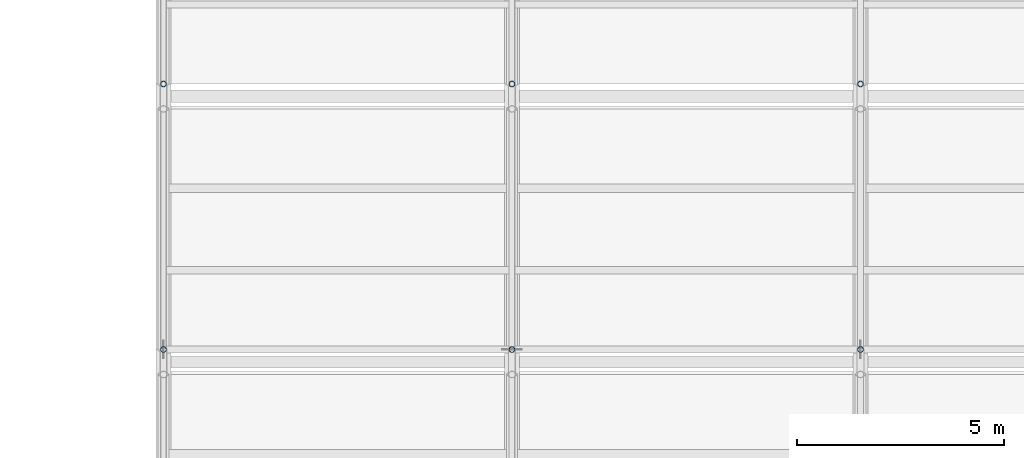
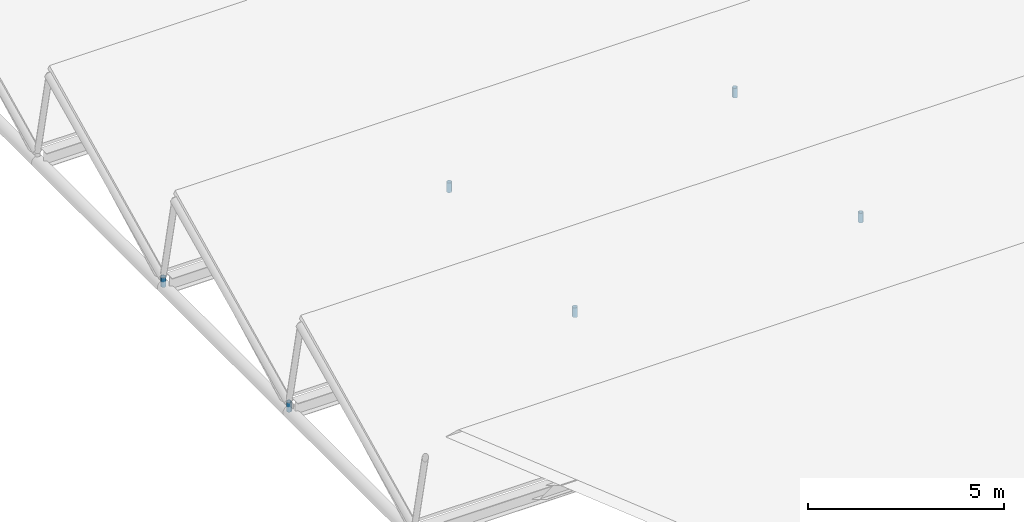
# One storey, part 118 of 194: 6 members.
"""IFC4 building model written with IfcOpenShell, lengths in metres."""

from ifc_helpers import new_model, si_unit, direction, frame, origin, origin_2d, place, context, subcontext, project, spatial, hollow_circle, extrude, material, material_profile, profile_set, type_object, element, save


model = new_model("IFC4")

# Units and contexts
model_context = context("Model", 3, precision=1e-05, world=origin(), true_north=direction((0.0, 1.0)))
body_context = subcontext(model_context, "Body", "Model", "MODEL_VIEW")
ifc_project = project(units=[si_unit("LENGTHUNIT", "METRE"), si_unit("AREAUNIT", "SQUARE_METRE"), si_unit("VOLUMEUNIT", "CUBIC_METRE"), si_unit("PLANEANGLEUNIT", "RADIAN"), si_unit("MASSUNIT", "GRAM", prefix="KILO")], contexts=[model_context])

# Site, building, storey
site_placement = place(None, origin())
site = spatial("IfcSite", under=ifc_project, at=site_placement, CompositionType="ELEMENT")
building_placement = place(site_placement, origin())
building = spatial("IfcBuilding", under=site, at=building_placement, Name="Kazenagashi Tramway Depot", CompositionType="ELEMENT")
storey_placement = place(building_placement, frame((0.0, 0.0, 23.7)))
storey = spatial("IfcBuildingStorey", under=building, at=storey_placement, Name="ROOF", CompositionType="ELEMENT", Elevation=23.7)

# Members
ifc_material = material(Name="Steel STK490", Category="steel")
ifc_material_profile = material_profile(ifc_material, hollow_circle(Radius=0.0699, WallThickness=0.0066, at=origin_2d()), Name="CHS-139.8x6.6")
ifc_profile_set = profile_set([ifc_material_profile], Name="Steel STK490")
member_type = type_object("IfcMemberType", Name="TS-02", PredefinedType="STRUT", material=ifc_profile_set)
for number, where, z_axis, x_axis, name in (
    (1, (44.8, 35.7, -8.9), (0.0, 0.0, 1.0), (1.0, 0.0, 0.0), "Roof Truss TS-02 MEM-1161"),
    (2, (44.8, 42.1, -8.9), (0.0, 0.0, 1.0), (1.0, 0.0, 0.0), "Roof Truss TS-02 MEM-1166"),
    (3, (53.2, 35.7, -8.9), (0.0, 0.0, 1.0), (1.0, 0.0, 0.0), "Roof Truss TS-02 MEM-1190"),
    (4, (53.2, 42.1, -8.9), (0.0, 0.0, 1.0), (1.0, 0.0, 0.0), "Roof Truss TS-02 MEM-1195"),
    (5, (61.6, 35.7, -8.9), (0.0, 0.0, 1.0), (1.0, 0.0, 0.0), "Roof Truss TS-02 MEM-1219"),
    (6, (61.6, 42.1, -8.9), (0.0, 0.0, 1.0), (1.0, 0.0, 0.0), "Roof Truss TS-02 MEM-1224"),
):
    element("IfcMember", number, at=place(storey_placement, frame(where, z_axis=z_axis, x_axis=x_axis)), inside=storey, type_object=member_type, Name=name, PredefinedType="STRUT", context=body_context, shape_type="SweptSolid", body=[
        extrude(hollow_circle(Radius=0.0699, WallThickness=0.0066, at=origin_2d()), origin(), (0.0, 0.0, 1.0), 0.3),
    ])

save(model, "model.ifc")
